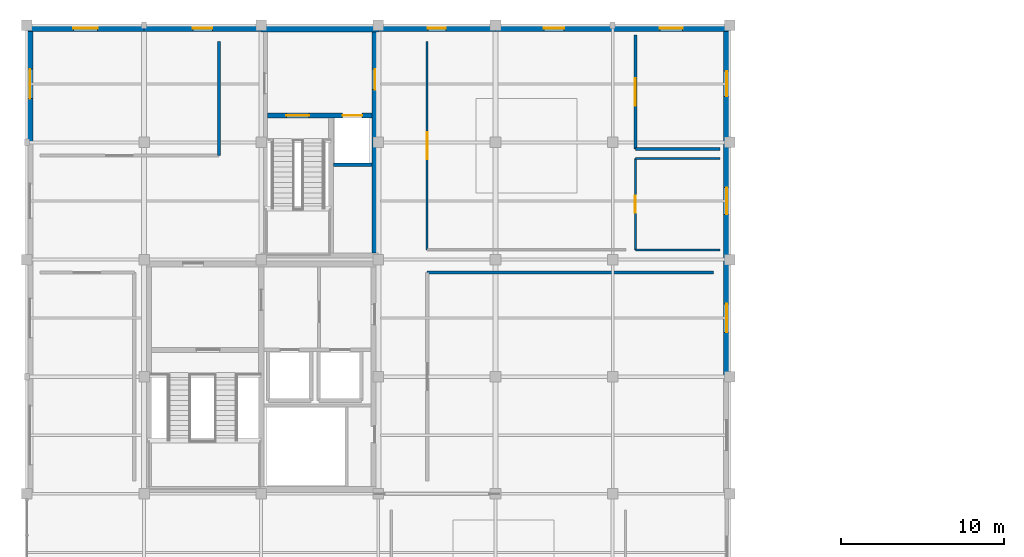
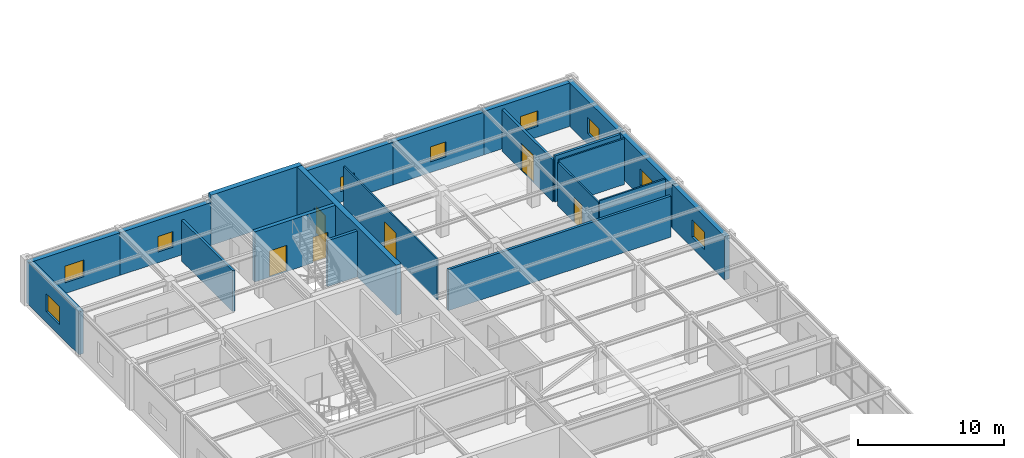
# One storey, part 58 of 64: 21 walls, 9 windows, 6 doors, 15 openings.
"""IFC4 building model written with IfcOpenShell, lengths in metres."""

import ifcopenshell
import ifcopenshell.guid

model = None  # the IFC model being written
_history = None  # IfcOwnerHistory: only IFC2X3 demands one
_inside = {}  # id of a spatial element -> (the spatial element, [elements in it])
_under = {}  # id of a project, library or spatial element -> (it, [spatial elements below it])
_declared = {}  # id of a project -> (the project, [libraries it declares])
_typed = {}  # id of a type object -> (the type object, [elements of that type])
_made_of = {}  # id of a material, layer set ... -> (it, [elements and type objects made of it])


def new_model(schema):
    """Start an empty IFC model of exactly this schema.

    Asked for "IFC4X3", IfcOpenShell would pick the latest addendum, in which some entities
    have other attributes; the version numbers below select the first issue.
    IFC2X3 requires an IfcOwnerHistory on every rooted entity: one is made here for all.
    """
    global model, _history
    if schema == "IFC4X3":
        model = ifcopenshell.file(schema_version=(4, 3, 0, 0))
    else:
        model = ifcopenshell.file(schema=schema)
    _inside.clear()
    _under.clear()
    _declared.clear()
    _typed.clear()
    _made_of.clear()
    _history = None
    if model.schema == "IFC2X3":
        org = make("IfcOrganization", Name="unknown")
        user = make(
            "IfcPersonAndOrganization",
            ThePerson=make("IfcPerson", FamilyName="unknown"),
            TheOrganization=org,
        )
        app = make(
            "IfcApplication",
            ApplicationDeveloper=org,
            Version="unknown",
            ApplicationFullName="unknown",
            ApplicationIdentifier="unknown",
        )
        _history = make(
            "IfcOwnerHistory",
            OwningUser=user,
            OwningApplication=app,
            ChangeAction="ADDED",
            CreationDate=0,
        )
    return model


def make(cls, **values):
    """One entity of the class cls with the attributes given. An attribute that is None is left unset."""
    return model.create_entity(
        cls, **{name: value for name, value in values.items() if value is not None}
    )


def rooted(cls, **values):
    """An entity with a GlobalId (a new one), such as an element, a storey or a relation."""
    return make(cls, GlobalId=ifcopenshell.guid.new(), OwnerHistory=_history, **values)


def si_unit(unit_type, name, prefix=None):
    """IfcSIUnit, for example si_unit("LENGTHUNIT", "METRE", prefix="MILLI")."""
    return make("IfcSIUnit", UnitType=unit_type, Prefix=prefix, Name=name)


def assignment(units):
    """IfcUnitAssignment: the units of a project."""
    return None if units is None else make("IfcUnitAssignment", Units=units)


def point(xyz):
    """IfcCartesianPoint."""
    return None if xyz is None else make("IfcCartesianPoint", Coordinates=xyz)


def direction(xyz):
    """IfcDirection."""
    return None if xyz is None else make("IfcDirection", DirectionRatios=xyz)


def frame(location, z_axis=None, x_axis=None):
    """IfcAxis2Placement3D, a coordinate frame: its origin and axes. An axis left out is left unset."""
    return make(
        "IfcAxis2Placement3D",
        Location=point(location),
        Axis=direction(z_axis),
        RefDirection=direction(x_axis),
    )


def frame_2d(location, x_axis=None):
    """IfcAxis2Placement2D, a coordinate frame in the plane: its origin and x axis."""
    return make(
        "IfcAxis2Placement2D", Location=point(location), RefDirection=direction(x_axis)
    )


def origin():
    """The frame at (0, 0, 0) with its axes left unset."""
    return frame((0.0, 0.0, 0.0))


def place(relative_to, where):
    """IfcLocalPlacement: puts the frame where relative to a parent placement (None: the world)."""
    return make(
        "IfcLocalPlacement", PlacementRelTo=relative_to, RelativePlacement=where
    )


def context(
    kind, dimensions, precision=None, world=None, true_north=None, identifier=None
):
    """IfcGeometricRepresentationContext, for example the 3D "Model" context."""
    return make(
        "IfcGeometricRepresentationContext",
        ContextIdentifier=identifier,
        ContextType=kind,
        CoordinateSpaceDimension=dimensions,
        Precision=precision,
        WorldCoordinateSystem=world,
        TrueNorth=true_north,
    )


def subcontext(parent, identifier, kind, view, scale=None):
    """IfcGeometricRepresentationSubContext, for example "Body" below "Model"."""
    return make(
        "IfcGeometricRepresentationSubContext",
        ContextIdentifier=identifier,
        ContextType=kind,
        ParentContext=parent,
        TargetScale=scale,
        TargetView=view,
    )


def project(units=None, contexts=None):
    """IfcProject with its units and contexts."""
    return rooted(
        "IfcProject",
        Name="project",
        RepresentationContexts=contexts,
        UnitsInContext=assignment(units),
    )


def spatial(cls, under=None, at=None, **own):
    """A site, building, storey or space (cls), placed at a placement, below another one or the project."""
    s = rooted(cls, ObjectPlacement=at, **own)
    if under is not None:
        _under.setdefault(under.id(), (under, []))[1].append(s)
    return s


def profile(cls, at=None, kind="AREA", **sizes):
    """A parametric profile (cls). Its sizes go by their IFC names, for example OverallWidth=200.0."""
    return make(cls, ProfileType=kind, Position=at, **sizes)


def rectangle(**sizes):
    """IfcRectangleProfileDef."""
    return profile("IfcRectangleProfileDef", **sizes)


def extrude(swept, where, along, depth):
    """IfcExtrudedAreaSolid: the profile swept, set in the frame where, extruded along a direction by depth."""
    return make(
        "IfcExtrudedAreaSolid",
        SweptArea=swept,
        Position=where,
        ExtrudedDirection=direction(along),
        Depth=depth,
    )


def shape(context_of_items, identifier, shape_type, items):
    """IfcShapeRepresentation: the items that make up one representation, for example the "Body"."""
    return make(
        "IfcShapeRepresentation",
        ContextOfItems=context_of_items,
        RepresentationIdentifier=identifier,
        RepresentationType=shape_type,
        Items=items,
    )


def material(Name=None, Category=None):
    """IfcMaterial."""
    return make("IfcMaterial", Name=Name, Category=Category)


def layer(
    of_material, thickness, ventilated=None, Name=None, Category=None, Priority=None
):
    """IfcMaterialLayer: one layer of a wall or slab, of a material (None: an air gap)."""
    return make(
        "IfcMaterialLayer",
        Material=of_material,
        LayerThickness=thickness,
        IsVentilated=ventilated,
        Name=Name,
        Category=Category,
        Priority=Priority,
    )


def layer_set(layers, Name=None):
    """IfcMaterialLayerSet."""
    return make("IfcMaterialLayerSet", MaterialLayers=layers, LayerSetName=Name)


def made_of(thing, what):
    """Note that an element or type object is made of a material, layer set ...; save() writes the relation."""
    if what is not None:
        _made_of.setdefault(what.id(), (what, []))[1].append(thing)
    return thing


def type_object(cls, material=None, **own):
    """A type object (cls), such as IfcWallType, which elements share."""
    return made_of(rooted(cls, **own), material)


def element(
    cls,
    number,
    at=None,
    inside=None,
    cuts=None,
    type_object=None,
    material=None,
    context=None,
    identifier="Body",
    shape_type=None,
    held_by="IfcProductDefinitionShape",
    body=None,
    shapes=None,
    **own,
):
    """One element of the class cls, such as IfcWall. Its Tag is "e" and its number.

    at: its placement. inside: the storey or other place that contains it. cuts: it is an
    opening in that element (IfcRelVoidsElement). A single representation is given by context,
    identifier, shape_type and body (its items); several are given by shapes. held_by: the class
    of the entity that holds the representations. save() writes the other relations.
    """
    e = rooted(cls, Tag="e%d" % number, ObjectPlacement=at, **own)
    if body is not None:
        shapes = [shape(context, identifier, shape_type, body)]
    if shapes is not None:
        e.Representation = make(held_by, Representations=shapes)
    if inside is not None:
        _inside.setdefault(inside.id(), (inside, []))[1].append(e)
    if cuts is not None:
        rooted(
            "IfcRelVoidsElement", RelatingBuildingElement=cuts, RelatedOpeningElement=e
        )
    if type_object is not None:
        _typed.setdefault(type_object.id(), (type_object, []))[1].append(e)
    return made_of(e, material)


def fill(opening, filler):
    """IfcRelFillsElement: the door or window that sits in an opening."""
    return rooted(
        "IfcRelFillsElement",
        RelatingOpeningElement=opening,
        RelatedBuildingElement=filler,
    )


def aggregate(whole, parts):
    """IfcRelAggregates: a whole, such as a stair, and the parts it consists of."""
    return rooted("IfcRelAggregates", RelatingObject=whole, RelatedObjects=parts)


def save(model, path):
    """Write the relations noted so far, then the file.

    IfcRelAggregates (storeys below a building ...), IfcRelContainedInSpatialStructure (elements
    in a storey), IfcRelDefinesByType, IfcRelAssociatesMaterial and IfcRelDeclares: one each for
    every whole, place, type object, material and project.
    """
    for whole, parts in _under.values():
        aggregate(whole, parts)
    for where, things in _inside.values():
        rooted(
            "IfcRelContainedInSpatialStructure",
            RelatedElements=things,
            RelatingStructure=where,
        )
    for kind, things in _typed.values():
        rooted("IfcRelDefinesByType", RelatedObjects=things, RelatingType=kind)
    for what, things in _made_of.values():
        rooted("IfcRelAssociatesMaterial", RelatedObjects=things, RelatingMaterial=what)
    for by, libraries in _declared.values():
        rooted("IfcRelDeclares", RelatingContext=by, RelatedDefinitions=libraries)
    model.write(path)


model = new_model("IFC4")

# Units and contexts
model_context = context("Model", 3, precision=1e-05, world=origin(), true_north=direction((0.0, 1.0)))
body_context = subcontext(model_context, "Body", "Model", "MODEL_VIEW")
ifc_project = project(units=[si_unit("LENGTHUNIT", "METRE"), si_unit("AREAUNIT", "SQUARE_METRE"), si_unit("VOLUMEUNIT", "CUBIC_METRE"), si_unit("PLANEANGLEUNIT", "RADIAN"), si_unit("MASSUNIT", "GRAM", prefix="KILO")], contexts=[model_context])

# Site, building, storey
site_placement = place(None, origin())
site = spatial("IfcSite", under=ifc_project, at=site_placement, CompositionType="ELEMENT")
building_placement = place(site_placement, origin())
building = spatial("IfcBuilding", under=site, at=building_placement, Name="Leyfeld Transit Interchange", CompositionType="ELEMENT")
storey_placement = place(building_placement, frame((0.0, 0.0, 9.60009765625)))
storey = spatial("IfcBuildingStorey", under=building, at=storey_placement, Name="L02", CompositionType="ELEMENT", Elevation=9.60009765625)

# Wall, opening, window
ifc_material_1 = material(Name="Clinker brick masonry - Insulated", Category="masonry")
ifc_layer_1 = layer(ifc_material_1, 0.3798828125, Name="Clinker brick masonry - Insulated")
ifc_layer_set_1 = layer_set([ifc_layer_1], Name="Clinker brick masonry - Insulated")
wall_type_1 = type_object("IfcWallType", Name="WL-EXT-BRK-380", PredefinedType="SOLIDWALL", material=ifc_layer_set_1)
wall_1_placement = place(storey_placement, frame((0.18994140625, 115.199951171875, 0.0), z_axis=(0.0, 0.0, 1.0), x_axis=(0.0, 1.0, 0.0)))
wall_1 = element("IfcWall", 1, at=wall_1_placement, inside=storey, type_object=wall_type_1, Name="External Facade Wall EW-L02-078", PredefinedType="SOLIDWALL", context=body_context, shape_type="SweptSolid", body=[
    extrude(rectangle(XDim=7.199951171875, YDim=0.3798828125, at=frame_2d((3.60009765625, 0.0))), origin(), (0.0, 0.0, 1.0), 3.579833984375),
])
opening_1_placement = place(wall_1_placement, frame((2.699951171875, 0.0, 0.89990234375)))
opening_1 = element("IfcOpeningElement", 2, at=opening_1_placement, cuts=wall_1, Name="Opening W-07", PredefinedType="OPENING", context=body_context, shape_type="SweptSolid", body=[
    extrude(rectangle(XDim=1.800048828125, YDim=1.5, at=frame_2d((0.89990234375, 0.75))), frame((0.0, 0.199951171875, 0.0), z_axis=(0.0, -1.0, 0.0), x_axis=(1.0, 0.0, 0.0)), (0.0, 0.0, 1.0), 0.39990234375),
])
ifc_material_2 = material(Name="Triple low-E insulated glazing", Category="glass")
window_type_1 = type_object("IfcWindowType", Name="WIN-PUN-1800x1500", PartitioningType="SINGLE_PANEL", PredefinedType="WINDOW", material=ifc_material_2)
window_1_placement = place(opening_1_placement, origin())
window_1 = element("IfcWindow", 3, at=window_1_placement, inside=storey, type_object=window_type_1, Name="Facade Window L02 050", OverallHeight=1.5, OverallWidth=1.800048828125, PartitioningType="SINGLE_PANEL", PredefinedType="WINDOW", context=body_context, shape_type="SweptSolid", body=[
    extrude(rectangle(XDim=1.800048828125, YDim=1.5, at=frame_2d((0.89990234375, 0.75))), frame((0.0, 0.030029296875, 0.0), z_axis=(0.0, -1.0, 0.0), x_axis=(1.0, 0.0, 0.0)), (0.0, 0.0, 1.0), 0.06005859375),
])
fill(opening_1, window_1)

wall_2_placement = place(storey_placement, frame((0.0, 122.2099609375, 0.0), z_axis=(0.0, 0.0, 1.0), x_axis=(1.0, 0.0, 0.0)))
wall_2 = element("IfcWall", 4, at=wall_2_placement, inside=storey, type_object=wall_type_1, Name="External Facade Wall EW-L02-079", PredefinedType="SOLIDWALL", context=body_context, shape_type="SweptSolid", body=[
    extrude(rectangle(XDim=7.199951171875, YDim=0.3798828125, at=frame_2d((3.60009765625, 0.0))), origin(), (0.0, 0.0, 1.0), 3.579833984375),
])
opening_2_placement = place(wall_2_placement, frame((2.85009765625, 0.0, 0.89990234375)))
opening_2 = element("IfcOpeningElement", 5, at=opening_2_placement, cuts=wall_2, Name="Opening W-08", PredefinedType="OPENING", context=body_context, shape_type="SweptSolid", body=[
    extrude(rectangle(XDim=1.5, YDim=1.39990234375, at=frame_2d((0.75, 0.699951171875))), frame((0.0, 0.199951171875, 0.0), z_axis=(0.0, -1.0, 0.0), x_axis=(1.0, 0.0, 0.0)), (0.0, 0.0, 1.0), 0.39990234375),
])
window_type_2 = type_object("IfcWindowType", Name="WIN-PUN-1500x1400", PartitioningType="SINGLE_PANEL", PredefinedType="WINDOW", material=ifc_material_2)
window_2_placement = place(opening_2_placement, origin())
window_2 = element("IfcWindow", 6, at=window_2_placement, inside=storey, type_object=window_type_2, Name="Facade Window L02 051", OverallHeight=1.39990234375, OverallWidth=1.5, PartitioningType="SINGLE_PANEL", PredefinedType="WINDOW", context=body_context, shape_type="SweptSolid", body=[
    extrude(rectangle(XDim=1.5, YDim=1.39990234375, at=frame_2d((0.75, 0.699951171875))), frame((0.0, 0.030029296875, 0.0), z_axis=(0.0, -1.0, 0.0), x_axis=(1.0, 0.0, 0.0)), (0.0, 0.0, 1.0), 0.06005859375),
])
fill(opening_2, window_2)

wall_3_placement = place(storey_placement, frame((7.199951171875, 122.2099609375, 0.0), z_axis=(0.0, 0.0, 1.0), x_axis=(1.0, 0.0, 0.0)))
wall_3 = element("IfcWall", 7, at=wall_3_placement, inside=storey, type_object=wall_type_1, Name="External Facade Wall EW-L02-080", PredefinedType="SOLIDWALL", context=body_context, shape_type="SweptSolid", body=[
    extrude(rectangle(XDim=7.199951171875, YDim=0.3798828125, at=frame_2d((3.60009765625, 0.0))), origin(), (0.0, 0.0, 1.0), 3.579833984375),
])
opening_3_placement = place(wall_3_placement, frame((3.0, 0.0, 0.89990234375)))
opening_3 = element("IfcOpeningElement", 8, at=opening_3_placement, cuts=wall_3, Name="Opening W-09", PredefinedType="OPENING", context=body_context, shape_type="SweptSolid", body=[
    extrude(rectangle(XDim=1.199951171875, YDim=1.300048828125, at=frame_2d((0.60009765625, 0.64990234375))), frame((0.0, 0.199951171875, 0.0), z_axis=(0.0, -1.0, 0.0), x_axis=(1.0, 0.0, 0.0)), (0.0, 0.0, 1.0), 0.39990234375),
])
window_type_3 = type_object("IfcWindowType", Name="WIN-PUN-1200x1300", PartitioningType="SINGLE_PANEL", PredefinedType="WINDOW", material=ifc_material_2)
window_3_placement = place(opening_3_placement, origin())
window_3 = element("IfcWindow", 9, at=window_3_placement, inside=storey, type_object=window_type_3, Name="Facade Window L02 052", OverallHeight=1.300048828125, OverallWidth=1.199951171875, PartitioningType="SINGLE_PANEL", PredefinedType="WINDOW", context=body_context, shape_type="SweptSolid", body=[
    extrude(rectangle(XDim=1.199951171875, YDim=1.300048828125, at=frame_2d((0.60009765625, 0.64990234375))), frame((0.0, 0.030029296875, 0.0), z_axis=(0.0, -1.0, 0.0), x_axis=(1.0, 0.0, 0.0)), (0.0, 0.0, 1.0), 0.06005859375),
])
fill(opening_3, window_3)

wall_4_placement = place(storey_placement, frame((21.60009765625, 122.2099609375, 0.0), z_axis=(0.0, 0.0, 1.0), x_axis=(1.0, 0.0, 0.0)))
wall_4 = element("IfcWall", 10, at=wall_4_placement, inside=storey, type_object=wall_type_1, Name="External Facade Wall EW-L02-081", PredefinedType="SOLIDWALL", context=body_context, shape_type="SweptSolid", body=[
    extrude(rectangle(XDim=7.199951171875, YDim=0.3798828125, at=frame_2d((3.60009765625, 0.0))), origin(), (0.0, 0.0, 1.0), 3.579833984375),
])
opening_4_placement = place(wall_4_placement, frame((3.050048828125, 0.0, 0.89990234375)))
opening_4 = element("IfcOpeningElement", 11, at=opening_4_placement, cuts=wall_4, Name="Opening WU-01", PredefinedType="OPENING", context=body_context, shape_type="SweptSolid", body=[
    extrude(rectangle(XDim=1.10009765625, YDim=1.199951171875, at=frame_2d((0.550048828125, 0.60009765625))), frame((0.0, 0.199951171875, 0.0), z_axis=(0.0, -1.0, 0.0), x_axis=(1.0, 0.0, 0.0)), (0.0, 0.0, 1.0), 0.39990234375),
])
window_type_4 = type_object("IfcWindowType", Name="WIN-UNQ-01", PartitioningType="SINGLE_PANEL", PredefinedType="WINDOW", material=ifc_material_2)
window_4_placement = place(opening_4_placement, origin())
window_4 = element("IfcWindow", 12, at=window_4_placement, inside=storey, type_object=window_type_4, Name="Facade Window L02 053", OverallHeight=1.199951171875, OverallWidth=1.10009765625, PartitioningType="SINGLE_PANEL", PredefinedType="WINDOW", context=body_context, shape_type="SweptSolid", body=[
    extrude(rectangle(XDim=1.10009765625, YDim=1.199951171875, at=frame_2d((0.550048828125, 0.60009765625))), frame((0.0, 0.030029296875, 0.0), z_axis=(0.0, -1.0, 0.0), x_axis=(1.0, 0.0, 0.0)), (0.0, 0.0, 1.0), 0.06005859375),
])
fill(opening_4, window_4)

wall_5_placement = place(storey_placement, frame((28.800048828125, 122.2099609375, 0.0), z_axis=(0.0, 0.0, 1.0), x_axis=(1.0, 0.0, 0.0)))
wall_5 = element("IfcWall", 13, at=wall_5_placement, inside=storey, type_object=wall_type_1, Name="External Facade Wall EW-L02-082", PredefinedType="SOLIDWALL", context=body_context, shape_type="SweptSolid", body=[
    extrude(rectangle(XDim=7.199951171875, YDim=0.3798828125, at=frame_2d((3.60009765625, 0.0))), origin(), (0.0, 0.0, 1.0), 3.579833984375),
])
opening_5_placement = place(wall_5_placement, frame((2.97509765625, 0.0, 0.89990234375)))
opening_5 = element("IfcOpeningElement", 14, at=opening_5_placement, cuts=wall_5, Name="Opening WU-02", PredefinedType="OPENING", context=body_context, shape_type="SweptSolid", body=[
    extrude(rectangle(XDim=1.25, YDim=1.25, at=frame_2d((0.625, 0.625))), frame((0.0, 0.199951171875, 0.0), z_axis=(0.0, -1.0, 0.0), x_axis=(1.0, 0.0, 0.0)), (0.0, 0.0, 1.0), 0.39990234375),
])
window_type_5 = type_object("IfcWindowType", Name="WIN-UNQ-02", PartitioningType="SINGLE_PANEL", PredefinedType="WINDOW", material=ifc_material_2)
window_5_placement = place(opening_5_placement, origin())
window_5 = element("IfcWindow", 15, at=window_5_placement, inside=storey, type_object=window_type_5, Name="Facade Window L02 054", OverallHeight=1.25, OverallWidth=1.25, PartitioningType="SINGLE_PANEL", PredefinedType="WINDOW", context=body_context, shape_type="SweptSolid", body=[
    extrude(rectangle(XDim=1.25, YDim=1.25, at=frame_2d((0.625, 0.625))), frame((0.0, 0.030029296875, 0.0), z_axis=(0.0, -1.0, 0.0), x_axis=(1.0, 0.0, 0.0)), (0.0, 0.0, 1.0), 0.06005859375),
])
fill(opening_5, window_5)

wall_6_placement = place(storey_placement, frame((36.0, 122.2099609375, 0.0), z_axis=(0.0, 0.0, 1.0), x_axis=(1.0, 0.0, 0.0)))
wall_6 = element("IfcWall", 16, at=wall_6_placement, inside=storey, type_object=wall_type_1, Name="External Facade Wall EW-L02-083", PredefinedType="SOLIDWALL", context=body_context, shape_type="SweptSolid", body=[
    extrude(rectangle(XDim=7.199951171875, YDim=0.3798828125, at=frame_2d((3.60009765625, 0.0))), origin(), (0.0, 0.0, 1.0), 3.639892578125),
])
opening_6_placement = place(wall_6_placement, frame((2.89990234375, 0.0, 0.89990234375)))
opening_6 = element("IfcOpeningElement", 17, at=opening_6_placement, cuts=wall_6, Name="Opening WU-03", PredefinedType="OPENING", context=body_context, shape_type="SweptSolid", body=[
    extrude(rectangle(XDim=1.39990234375, YDim=1.300048828125, at=frame_2d((0.699951171875, 0.64990234375))), frame((0.0, 0.199951171875, 0.0), z_axis=(0.0, -1.0, 0.0), x_axis=(1.0, 0.0, 0.0)), (0.0, 0.0, 1.0), 0.39990234375),
])
window_type_6 = type_object("IfcWindowType", Name="WIN-UNQ-03", PartitioningType="SINGLE_PANEL", PredefinedType="WINDOW", material=ifc_material_2)
window_6_placement = place(opening_6_placement, origin())
window_6 = element("IfcWindow", 18, at=window_6_placement, inside=storey, type_object=window_type_6, Name="Facade Window L02 055", OverallHeight=1.300048828125, OverallWidth=1.39990234375, PartitioningType="SINGLE_PANEL", PredefinedType="WINDOW", context=body_context, shape_type="SweptSolid", body=[
    extrude(rectangle(XDim=1.39990234375, YDim=1.300048828125, at=frame_2d((0.699951171875, 0.64990234375))), frame((0.0, 0.030029296875, 0.0), z_axis=(0.0, -1.0, 0.0), x_axis=(1.0, 0.0, 0.0)), (0.0, 0.0, 1.0), 0.06005859375),
])
fill(opening_6, window_6)

wall_7_placement = place(storey_placement, frame((43.010009765625, 122.39990234375, 0.0), z_axis=(0.0, 0.0, 1.0), x_axis=(0.0, -1.0, 0.0)))
wall_7 = element("IfcWall", 19, at=wall_7_placement, inside=storey, type_object=wall_type_1, Name="External Facade Wall EW-L02-084", PredefinedType="SOLIDWALL", context=body_context, shape_type="SweptSolid", body=[
    extrude(rectangle(XDim=7.199951171875, YDim=0.3798828125, at=frame_2d((3.60009765625, 0.0))), origin(), (0.0, 0.0, 1.0), 3.639892578125),
])
opening_7_placement = place(wall_7_placement, frame((2.824951171875, 0.0, 0.89990234375)))
opening_7 = element("IfcOpeningElement", 20, at=opening_7_placement, cuts=wall_7, Name="Opening WU-04", PredefinedType="OPENING", context=body_context, shape_type="SweptSolid", body=[
    extrude(rectangle(XDim=1.550048828125, YDim=1.35009765625, at=frame_2d((0.77490234375, 0.675048828125))), frame((0.0, 0.199951171875, 0.0), z_axis=(0.0, -1.0, 0.0), x_axis=(1.0, 0.0, 0.0)), (0.0, 0.0, 1.0), 0.39990234375),
])
window_type_7 = type_object("IfcWindowType", Name="WIN-UNQ-04", PartitioningType="SINGLE_PANEL", PredefinedType="WINDOW", material=ifc_material_2)
window_7_placement = place(opening_7_placement, origin())
window_7 = element("IfcWindow", 21, at=window_7_placement, inside=storey, type_object=window_type_7, Name="Facade Window L02 056", OverallHeight=1.35009765625, OverallWidth=1.550048828125, PartitioningType="SINGLE_PANEL", PredefinedType="WINDOW", context=body_context, shape_type="SweptSolid", body=[
    extrude(rectangle(XDim=1.550048828125, YDim=1.35009765625, at=frame_2d((0.77490234375, 0.675048828125))), frame((0.0, 0.030029296875, 0.0), z_axis=(0.0, -1.0, 0.0), x_axis=(1.0, 0.0, 0.0)), (0.0, 0.0, 1.0), 0.06005859375),
])
fill(opening_7, window_7)

wall_8_placement = place(storey_placement, frame((43.010009765625, 115.199951171875, 0.0), z_axis=(0.0, 0.0, 1.0), x_axis=(0.0, -1.0, 0.0)))
wall_8 = element("IfcWall", 22, at=wall_8_placement, inside=storey, type_object=wall_type_1, Name="External Facade Wall EW-L02-085", PredefinedType="SOLIDWALL", context=body_context, shape_type="SweptSolid", body=[
    extrude(rectangle(XDim=7.199951171875, YDim=0.3798828125, at=frame_2d((3.60009765625, 0.0))), origin(), (0.0, 0.0, 1.0), 3.639892578125),
])
opening_8_placement = place(wall_8_placement, frame((2.77490234375, 0.0, 0.89990234375)))
opening_8 = element("IfcOpeningElement", 23, at=opening_8_placement, cuts=wall_8, Name="Opening WU-05", PredefinedType="OPENING", context=body_context, shape_type="SweptSolid", body=[
    extrude(rectangle(XDim=1.64990234375, YDim=1.39990234375, at=frame_2d((0.824951171875, 0.699951171875))), frame((0.0, 0.199951171875, 0.0), z_axis=(0.0, -1.0, 0.0), x_axis=(1.0, 0.0, 0.0)), (0.0, 0.0, 1.0), 0.39990234375),
])
window_type_8 = type_object("IfcWindowType", Name="WIN-UNQ-05", PartitioningType="SINGLE_PANEL", PredefinedType="WINDOW", material=ifc_material_2)
window_8_placement = place(opening_8_placement, origin())
window_8 = element("IfcWindow", 24, at=window_8_placement, inside=storey, type_object=window_type_8, Name="Facade Window L02 057", OverallHeight=1.39990234375, OverallWidth=1.64990234375, PartitioningType="SINGLE_PANEL", PredefinedType="WINDOW", context=body_context, shape_type="SweptSolid", body=[
    extrude(rectangle(XDim=1.64990234375, YDim=1.39990234375, at=frame_2d((0.824951171875, 0.699951171875))), frame((0.0, 0.030029296875, 0.0), z_axis=(0.0, -1.0, 0.0), x_axis=(1.0, 0.0, 0.0)), (0.0, 0.0, 1.0), 0.06005859375),
])
fill(opening_8, window_8)

wall_9_placement = place(storey_placement, frame((43.010009765625, 108.0, 0.0), z_axis=(0.0, 0.0, 1.0), x_axis=(0.0, -1.0, 0.0)))
wall_9 = element("IfcWall", 25, at=wall_9_placement, inside=storey, type_object=wall_type_1, Name="External Facade Wall EW-L02-086", PredefinedType="SOLIDWALL", context=body_context, shape_type="SweptSolid", body=[
    extrude(rectangle(XDim=7.199951171875, YDim=0.3798828125, at=frame_2d((3.60009765625, 0.0))), origin(), (0.0, 0.0, 1.0), 3.639892578125),
])
opening_9_placement = place(wall_9_placement, frame((2.72509765625, 0.0, 0.89990234375)))
opening_9 = element("IfcOpeningElement", 26, at=opening_9_placement, cuts=wall_9, Name="Opening WU-06", PredefinedType="OPENING", context=body_context, shape_type="SweptSolid", body=[
    extrude(rectangle(XDim=1.75, YDim=1.449951171875, at=frame_2d((0.875, 0.72509765625))), frame((0.0, 0.199951171875, 0.0), z_axis=(0.0, -1.0, 0.0), x_axis=(1.0, 0.0, 0.0)), (0.0, 0.0, 1.0), 0.39990234375),
])
window_type_9 = type_object("IfcWindowType", Name="WIN-UNQ-06", PartitioningType="SINGLE_PANEL", PredefinedType="WINDOW", material=ifc_material_2)
window_9_placement = place(opening_9_placement, origin())
window_9 = element("IfcWindow", 27, at=window_9_placement, inside=storey, type_object=window_type_9, Name="Facade Window L02 058", OverallHeight=1.449951171875, OverallWidth=1.75, PartitioningType="SINGLE_PANEL", PredefinedType="WINDOW", context=body_context, shape_type="SweptSolid", body=[
    extrude(rectangle(XDim=1.75, YDim=1.449951171875, at=frame_2d((0.875, 0.72509765625))), frame((0.0, 0.030029296875, 0.0), z_axis=(0.0, -1.0, 0.0), x_axis=(1.0, 0.0, 0.0)), (0.0, 0.0, 1.0), 0.06005859375),
])
fill(opening_9, window_9)

# Walls
ifc_material_3 = material(Name="Concrete C35/45", Category="concrete")
ifc_layer_2 = layer(ifc_material_3, 0.199951171875, Name="Concrete C35/45")
ifc_layer_set_2 = layer_set([ifc_layer_2], Name="Concrete C35/45")
wall_type_2 = type_object("IfcWallType", Name="WL-INT-FFL-200", PredefinedType="PARTITIONING", material=ifc_layer_set_2)
wall_10_placement = place(storey_placement, frame((24.60009765625, 107.199951171875, 0.0), z_axis=(0.0, 0.0, 1.0), x_axis=(1.0, 0.0, 0.0)))
element("IfcWall", 28, at=wall_10_placement, inside=storey, type_object=wall_type_2, Name="Interior Partition L02-SIG-01 N", PredefinedType="PARTITIONING", context=body_context, shape_type="SweptSolid", body=[
    extrude(rectangle(XDim=17.599853515625, YDim=0.199951171875, at=frame_2d((8.7998046875, 0.0))), origin(), (0.0, 0.0, 1.0), 3.429931640625),
])
wall_11_placement = place(storey_placement, frame((42.60009765625, 114.800048828125, 0.0), z_axis=(0.0, 0.0, 1.0), x_axis=(-1.0, 0.0, 0.0)))
element("IfcWall", 29, at=wall_11_placement, inside=storey, type_object=wall_type_2, Name="Interior Partition L02-STO-V5 S", PredefinedType="PARTITIONING", context=body_context, shape_type="SweptSolid", body=[
    extrude(rectangle(XDim=5.2001953125, YDim=0.199951171875, at=frame_2d((2.60009765625, 0.0))), origin(), (0.0, 0.0, 1.0), 3.849853515625),
])

# Wall, opening, door
wall_12_placement = place(storey_placement, frame((37.39990234375, 114.800048828125, 0.0), z_axis=(0.0, 0.0, 1.0), x_axis=(0.0, 1.0, 0.0)))
wall_12 = element("IfcWall", 30, at=wall_12_placement, inside=storey, type_object=wall_type_2, Name="Interior Partition L02-STO-V5 W", PredefinedType="PARTITIONING", context=body_context, shape_type="SweptSolid", body=[
    extrude(rectangle(XDim=7.0, YDim=0.199951171875, at=frame_2d((3.5, 0.0))), origin(), (0.0, 0.0, 1.0), 3.489990234375),
])
opening_10_placement = place(wall_12_placement, frame((2.659912109375, 0.0, 0.0)))
opening_10 = element("IfcOpeningElement", 31, at=opening_10_placement, cuts=wall_12, Name="Opening DU-17", PredefinedType="OPENING", context=body_context, shape_type="SweptSolid", body=[
    extrude(rectangle(XDim=1.679931640625, YDim=2.280029296875, at=frame_2d((0.83984375, 1.14013671875))), frame((0.0, 0.10986328125, 0.0), z_axis=(0.0, -1.0, 0.0), x_axis=(1.0, 0.0, 0.0)), (0.0, 0.0, 1.0), 0.219970703125),
])
ifc_material_4 = material(Name="Austrian larch glulam GL28h", Category="wood")
door_type_1 = type_object("IfcDoorType", Name="DR-UNQ-17", OperationType="NOTDEFINED", PredefinedType="DOOR", material=ifc_material_4)
door_1_placement = place(opening_10_placement, origin())
door_1 = element("IfcDoor", 32, at=door_1_placement, inside=storey, type_object=door_type_1, Name="DR-L02-STO-V5", OperationType="DOUBLE_DOOR_SINGLE_SWING", OverallHeight=2.280029296875, OverallWidth=1.679931640625, PredefinedType="DOOR", context=body_context, shape_type="SweptSolid", body=[
    extrude(rectangle(XDim=1.679931640625, YDim=2.280029296875, at=frame_2d((0.83984375, 1.14013671875))), frame((0.0, 0.02490234375, 0.0), z_axis=(0.0, -1.0, 0.0), x_axis=(1.0, 0.0, 0.0)), (0.0, 0.0, 1.0), 0.050048828125),
])
fill(opening_10, door_1)

ifc_material_5 = material(Name="Gypsum plasterboard acoustic stud", Category="gypsum")
ifc_layer_3 = layer(ifc_material_5, 0.114990234375, Name="Gypsum plasterboard acoustic stud")
ifc_layer_set_3 = layer_set([ifc_layer_3], Name="Gypsum plasterboard acoustic stud")
wall_type_3 = type_object("IfcWallType", Name="WL-INT-OFF-115", PredefinedType="PARTITIONING", material=ifc_layer_set_3)
wall_13_placement = place(storey_placement, frame((24.60009765625, 108.60009765625, 0.0), z_axis=(0.0, 0.0, 1.0), x_axis=(0.0, 1.0, 0.0)))
wall_13 = element("IfcWall", 33, at=wall_13_placement, inside=storey, type_object=wall_type_3, Name="Interior Partition L02-ENG-01 W", PredefinedType="PARTITIONING", context=body_context, shape_type="SweptSolid", body=[
    extrude(rectangle(XDim=12.7998046875, YDim=0.114990234375, at=frame_2d((6.39990234375, 0.0))), origin(), (0.0, 0.0, 1.0), 3.429931640625),
])
opening_11_placement = place(wall_13_placement, frame((5.580078125, 0.0, 0.0)))
opening_11 = element("IfcOpeningElement", 34, at=opening_11_placement, cuts=wall_13, Name="Opening DU-16", PredefinedType="OPENING", context=body_context, shape_type="SweptSolid", body=[
    extrude(rectangle(XDim=1.639892578125, YDim=2.199951171875, at=frame_2d((0.81982421875, 1.10009765625))), frame((0.0, 0.0673828125, 0.0), z_axis=(0.0, -1.0, 0.0), x_axis=(1.0, 0.0, 0.0)), (0.0, 0.0, 1.0), 0.135009765625),
])
door_type_2 = type_object("IfcDoorType", Name="DR-UNQ-16", OperationType="NOTDEFINED", PredefinedType="DOOR", material=ifc_material_4)
door_2_placement = place(opening_11_placement, origin())
door_2 = element("IfcDoor", 35, at=door_2_placement, inside=storey, type_object=door_type_2, Name="DR-L02-ENG-01", OperationType="DOUBLE_DOOR_SINGLE_SWING", OverallHeight=2.199951171875, OverallWidth=1.639892578125, PredefinedType="DOOR", context=body_context, shape_type="SweptSolid", body=[
    extrude(rectangle(XDim=1.639892578125, YDim=2.199951171875, at=frame_2d((0.81982421875, 1.10009765625))), frame((0.0, 0.02490234375, 0.0), z_axis=(0.0, -1.0, 0.0), x_axis=(1.0, 0.0, 0.0)), (0.0, 0.0, 1.0), 0.050048828125),
])
fill(opening_11, door_2)

# Walls
ifc_material_6 = material(Name="Calcium silicate masonry", Category="masonry")
ifc_layer_4 = layer(ifc_material_6, 0.18994140625, Name="Calcium silicate masonry")
ifc_layer_set_4 = layer_set([ifc_layer_4], Name="Calcium silicate masonry")
wall_type_4 = type_object("IfcWallType", Name="WL-INT-PLT-190", PredefinedType="PARTITIONING", material=ifc_layer_set_4)
wall_14_placement = place(storey_placement, frame((11.800048828125, 121.39990234375, 0.0), z_axis=(0.0, 0.0, 1.0), x_axis=(0.0, -1.0, 0.0)))
element("IfcWall", 36, at=wall_14_placement, inside=storey, type_object=wall_type_4, Name="Interior Partition L02-UPS-02 E", PredefinedType="PARTITIONING", context=body_context, shape_type="SweptSolid", body=[
    extrude(rectangle(XDim=7.0, YDim=0.18994140625, at=frame_2d((3.5, 0.0))), origin(), (0.0, 0.0, 1.0), 3.429931640625),
])
ifc_layer_5 = layer(ifc_material_3, 0.219970703125, Name="Concrete C35/45")
ifc_layer_set_5 = layer_set([ifc_layer_5], Name="Concrete C35/45")
wall_type_5 = type_object("IfcWallType", Name="WL-INT-SHF-220", PredefinedType="PARTITIONING", material=ifc_layer_set_5)
wall_15_placement = place(storey_placement, frame((18.840087890625, 113.840087890625, 0.0), z_axis=(0.0, 0.0, 1.0), x_axis=(1.0, 0.0, 0.0)))
element("IfcWall", 37, at=wall_15_placement, inside=storey, type_object=wall_type_5, Name="Core K2 Lift PL-2 Shaft Back Wall L02", PredefinedType="PARTITIONING", context=body_context, shape_type="SweptSolid", body=[
    extrude(rectangle(XDim=2.35986328125, YDim=0.219970703125, at=frame_2d((1.179931640625, 0.0))), origin(), (0.0, 0.0, 1.0), 3.849853515625),
])
ifc_material_7 = material(Name="Autoclaved aerated blockwork G4", Category="masonry")
ifc_layer_6 = layer(ifc_material_7, 0.125, Name="Autoclaved aerated blockwork G4")
ifc_layer_set_6 = layer_set([ifc_layer_6], Name="Autoclaved aerated blockwork G4")
wall_type_6 = type_object("IfcWallType", Name="WL-INT-WC-125", PredefinedType="PARTITIONING", material=ifc_layer_set_6)
for number, where, z_axis, x_axis, name in (
    (38, (37.39990234375, 114.199951171875, 0.0), (0.0, 0.0, 1.0), (1.0, 0.0, 0.0), "Interior Partition L02-WCA-03 N"),
    (39, (42.60009765625, 108.60009765625, 0.0), (0.0, 0.0, 1.0), (-1.0, 0.0, 0.0), "Interior Partition L02-WCA-03 S"),
):
    element("IfcWall", number, at=place(storey_placement, frame(where, z_axis=z_axis, x_axis=x_axis)), inside=storey, type_object=wall_type_6, Name=name, PredefinedType="PARTITIONING", context=body_context, shape_type="SweptSolid", body=[
        extrude(rectangle(XDim=5.2001953125, YDim=0.125, at=frame_2d((2.60009765625, 0.0))), origin(), (0.0, 0.0, 1.0), 3.849853515625),
    ])

# Wall, opening, door
wall_16_placement = place(storey_placement, frame((37.39990234375, 108.60009765625, 0.0), z_axis=(0.0, 0.0, 1.0), x_axis=(0.0, 1.0, 0.0)))
wall_16 = element("IfcWall", 40, at=wall_16_placement, inside=storey, type_object=wall_type_6, Name="Interior Partition L02-WCA-03 W", PredefinedType="PARTITIONING", context=body_context, shape_type="SweptSolid", body=[
    extrude(rectangle(XDim=5.599853515625, YDim=0.125, at=frame_2d((2.7998046875, 0.0))), origin(), (0.0, 0.0, 1.0), 3.669921875),
])
opening_12_placement = place(wall_16_placement, frame((2.27490234375, 0.0, 0.0)))
opening_12 = element("IfcOpeningElement", 41, at=opening_12_placement, cuts=wall_16, Name="Opening DI-09", PredefinedType="OPENING", context=body_context, shape_type="SweptSolid", body=[
    extrude(rectangle(XDim=1.050048828125, YDim=2.10009765625, at=frame_2d((0.52490234375, 1.050048828125))), frame((0.0, 0.072509765625, 0.0), z_axis=(0.0, -1.0, 0.0), x_axis=(1.0, 0.0, 0.0)), (0.0, 0.0, 1.0), 0.14501953125),
])
door_type_3 = type_object("IfcDoorType", Name="DR-WCA-1050x2100", OperationType="NOTDEFINED", PredefinedType="DOOR", material=ifc_material_4)
door_3_placement = place(opening_12_placement, origin())
door_3 = element("IfcDoor", 42, at=door_3_placement, inside=storey, type_object=door_type_3, Name="DR-L02-WCA-03", OperationType="SINGLE_SWING_RIGHT", OverallHeight=2.10009765625, OverallWidth=1.050048828125, PredefinedType="DOOR", context=body_context, shape_type="SweptSolid", body=[
    extrude(rectangle(XDim=1.050048828125, YDim=2.10009765625, at=frame_2d((0.52490234375, 1.050048828125))), frame((0.0, 0.02490234375, 0.0), z_axis=(0.0, -1.0, 0.0), x_axis=(1.0, 0.0, 0.0)), (0.0, 0.0, 1.0), 0.050048828125),
])
fill(opening_12, door_3)

# Wall, openings, doors
ifc_layer_7 = layer(ifc_material_3, 0.300048828125, Name="Concrete C35/45")
ifc_layer_set_7 = layer_set([ifc_layer_7], Name="Concrete C35/45")
wall_type_7 = type_object("IfcWallType", Name="WL-SH-300", PredefinedType="SHEAR", material=ifc_layer_set_7)
wall_17_placement = place(storey_placement, frame((14.800048828125, 116.85009765625, 0.0), z_axis=(0.0, 0.0, 1.0), x_axis=(1.0, 0.0, 0.0)))
wall_17 = element("IfcWall", 43, at=wall_17_placement, inside=storey, type_object=wall_type_7, Name="Core K2 Shear Wall STRN L02", PredefinedType="SHEAR", context=body_context, shape_type="SweptSolid", body=[
    extrude(rectangle(XDim=6.39990234375, YDim=0.300048828125, at=frame_2d((3.199951171875, 0.0))), origin(), (0.0, 0.0, 1.0), 4.199951171875),
])
opening_13_placement = place(wall_17_placement, frame((1.14990234375, 0.0, 0.0)))
opening_13 = element("IfcOpeningElement", 44, at=opening_13_placement, cuts=wall_17, Name="Opening DI-01", PredefinedType="OPENING", context=body_context, shape_type="SweptSolid", body=[
    extrude(rectangle(XDim=1.39990234375, YDim=2.199951171875, at=frame_2d((0.699951171875, 1.10009765625))), frame((0.0, 0.159912109375, 0.0), z_axis=(0.0, -1.0, 0.0), x_axis=(1.0, 0.0, 0.0)), (0.0, 0.0, 1.0), 0.320068359375),
])
opening_14_placement = place(wall_17_placement, frame((4.60009765625, 0.0, 0.0)))
opening_14 = element("IfcOpeningElement", 45, at=opening_14_placement, cuts=wall_17, Name="Opening LD-02", PredefinedType="OPENING", context=body_context, shape_type="SweptSolid", body=[
    extrude(rectangle(XDim=1.199951171875, YDim=2.14990234375, at=frame_2d((0.60009765625, 1.074951171875))), frame((0.0, 0.159912109375, 0.0), z_axis=(0.0, -1.0, 0.0), x_axis=(1.0, 0.0, 0.0)), (0.0, 0.0, 1.0), 0.320068359375),
])
ifc_material_8 = material(Name="Stainless steel EN 1.4404", Category="steel")
door_type_4 = type_object("IfcDoorType", Name="DR-LD-PAS-1200x2150", OperationType="NOTDEFINED", PredefinedType="DOOR", material=ifc_material_8)
door_4_placement = place(opening_14_placement, origin())
door_4 = element("IfcDoor", 46, at=door_4_placement, inside=storey, type_object=door_type_4, Name="LD-PL-2-L02", OperationType="DOUBLE_DOOR_SLIDING", OverallHeight=2.14990234375, OverallWidth=1.199951171875, PredefinedType="DOOR", context=body_context, shape_type="SweptSolid", body=[
    extrude(rectangle(XDim=1.199951171875, YDim=2.14990234375, at=frame_2d((0.60009765625, 1.074951171875))), frame((0.0, 0.02490234375, 0.0), z_axis=(0.0, -1.0, 0.0), x_axis=(1.0, 0.0, 0.0)), (0.0, 0.0, 1.0), 0.050048828125),
])
fill(opening_14, door_4)
ifc_material_9 = material(Name="Galvanised steel S275JR", Category="steel")
door_type_5 = type_object("IfcDoorType", Name="DR-STR-1400x2200", OperationType="NOTDEFINED", PredefinedType="DOOR", material=ifc_material_9)
door_5_placement = place(opening_13_placement, origin())
door_5 = element("IfcDoor", 47, at=door_5_placement, inside=storey, type_object=door_type_5, Name="DR-STR-INT-K2-L02", OperationType="SINGLE_SWING_LEFT", OverallHeight=2.199951171875, OverallWidth=1.39990234375, PredefinedType="DOOR", context=body_context, shape_type="SweptSolid", body=[
    extrude(rectangle(XDim=1.39990234375, YDim=2.199951171875, at=frame_2d((0.699951171875, 1.10009765625))), frame((0.0, 0.02490234375, 0.0), z_axis=(0.0, -1.0, 0.0), x_axis=(1.0, 0.0, 0.0)), (0.0, 0.0, 1.0), 0.050048828125),
])
fill(opening_13, door_5)

# Wall
ifc_layer_8 = layer(ifc_material_3, 0.39990234375, Name="Concrete C35/45")
ifc_layer_set_8 = layer_set([ifc_layer_8], Name="Concrete C35/45")
wall_type_8 = type_object("IfcWallType", Name="WL-SH-400", PredefinedType="SHEAR", material=ifc_layer_set_8)
wall_18_placement = place(storey_placement, frame((14.39990234375, 122.199951171875, 0.0), z_axis=(0.0, 0.0, 1.0), x_axis=(1.0, 0.0, 0.0)))
element("IfcWall", 48, at=wall_18_placement, inside=storey, type_object=wall_type_8, Name="Core K2 Shear Wall N L02", PredefinedType="SHEAR", context=body_context, shape_type="SweptSolid", body=[
    extrude(rectangle(XDim=7.2001953125, YDim=0.39990234375, at=frame_2d((3.60009765625, 0.0))), origin(), (0.0, 0.0, 1.0), 4.199951171875),
])

# Wall, opening, door
wall_19_placement = place(storey_placement, frame((21.39990234375, 122.0, 0.0), z_axis=(0.0, 0.0, 1.0), x_axis=(0.0, -1.0, 0.0)))
wall_19 = element("IfcWall", 49, at=wall_19_placement, inside=storey, type_object=wall_type_8, Name="Core K2 Shear Wall E L02", PredefinedType="SHEAR", context=body_context, shape_type="SweptSolid", body=[
    extrude(rectangle(XDim=13.60009765625, YDim=0.39990234375, at=frame_2d((6.800048828125, 0.0))), origin(), (0.0, 0.0, 1.0), 4.199951171875),
])
opening_15_placement = place(wall_19_placement, frame((2.300048828125, 0.0, 0.0)))
opening_15 = element("IfcOpeningElement", 50, at=opening_15_placement, cuts=wall_19, Name="Opening DI-02", PredefinedType="OPENING", context=body_context, shape_type="SweptSolid", body=[
    extrude(rectangle(XDim=1.25, YDim=2.199951171875, at=frame_2d((0.625, 1.10009765625))), frame((0.0, 0.2099609375, 0.0), z_axis=(0.0, -1.0, 0.0), x_axis=(1.0, 0.0, 0.0)), (0.0, 0.0, 1.0), 0.419921875),
])
door_type_6 = type_object("IfcDoorType", Name="DR-FFL-1250x2200", OperationType="NOTDEFINED", PredefinedType="DOOR", material=ifc_material_9)
door_6_placement = place(opening_15_placement, origin())
door_6 = element("IfcDoor", 51, at=door_6_placement, inside=storey, type_object=door_type_6, Name="DR-CORE-OUT-K2-L02-E", OperationType="SINGLE_SWING_LEFT", OverallHeight=2.199951171875, OverallWidth=1.25, PredefinedType="DOOR", context=body_context, shape_type="SweptSolid", body=[
    extrude(rectangle(XDim=1.25, YDim=2.199951171875, at=frame_2d((0.625, 1.10009765625))), frame((0.0, 0.02490234375, 0.0), z_axis=(0.0, -1.0, 0.0), x_axis=(1.0, 0.0, 0.0)), (0.0, 0.0, 1.0), 0.050048828125),
])
fill(opening_15, door_6)

save(model, "model.ifc")
